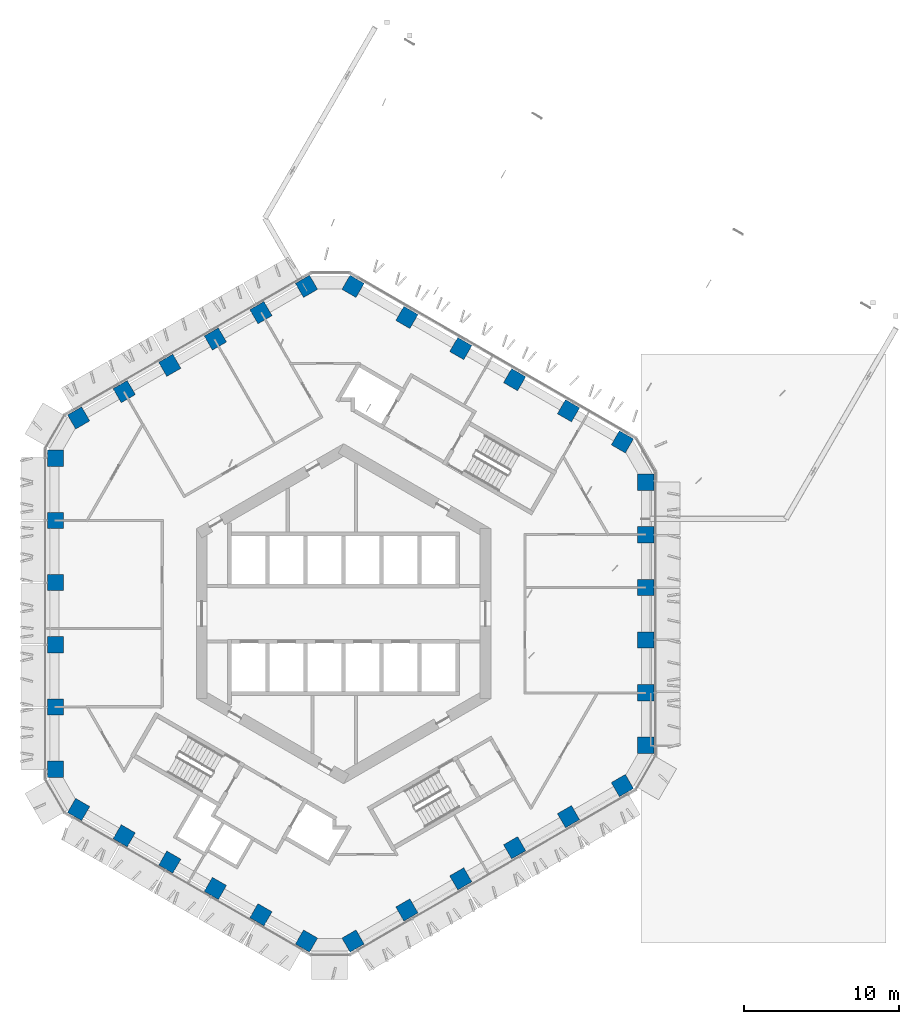
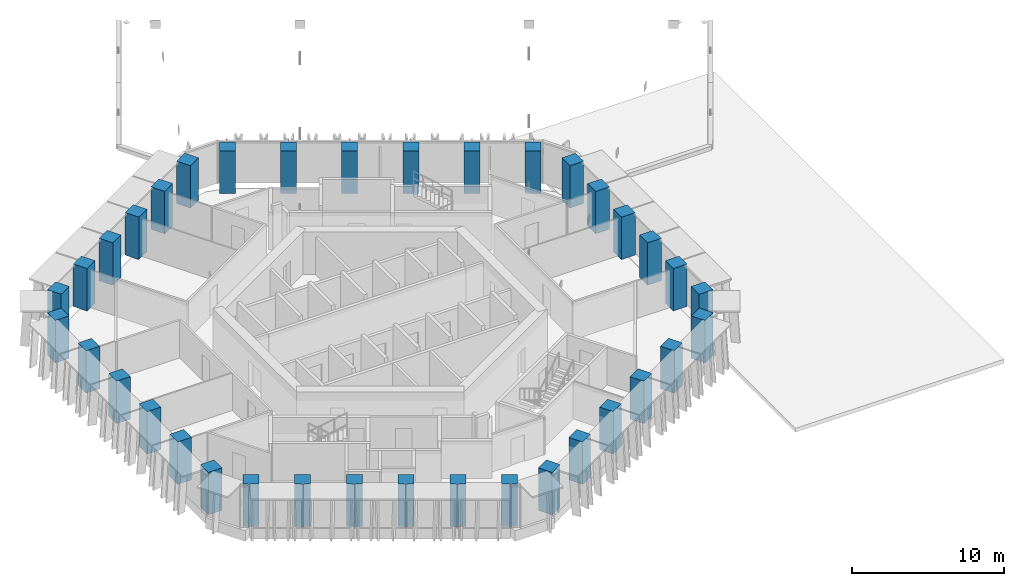
# One storey, part 1 of 25: 36 columns.
"""IFC4 building model written with IfcOpenShell, lengths in metres."""

from ifc_helpers import new_model, si_unit, direction, frame, origin, origin_2d, place, context, subcontext, project, spatial, rectangle, extrude, material, material_profile, profile_set, type_object, element, save


model = new_model("IFC4")

# Units and contexts
model_context = context("Model", 3, precision=1e-05, world=origin(), true_north=direction((0.0, 1.0)))
body_context = subcontext(model_context, "Body", "Model", "MODEL_VIEW")
ifc_project = project(units=[si_unit("LENGTHUNIT", "METRE"), si_unit("AREAUNIT", "SQUARE_METRE"), si_unit("VOLUMEUNIT", "CUBIC_METRE"), si_unit("PLANEANGLEUNIT", "RADIAN"), si_unit("MASSUNIT", "GRAM", prefix="KILO")], contexts=[model_context])

# Site, building, storey
site_placement = place(None, origin())
site = spatial("IfcSite", under=ifc_project, at=site_placement, CompositionType="ELEMENT")
building_placement = place(site_placement, origin())
building = spatial("IfcBuilding", under=site, at=building_placement, Name="Ayvan Gate Tower", CompositionType="ELEMENT")
storey_placement = place(building_placement, frame((0.0, 0.0, 132.5)))
storey = spatial("IfcBuildingStorey", under=building, at=storey_placement, Name="L35", CompositionType="ELEMENT", Elevation=132.5)

# Columns
ifc_material = material(Name="Concrete C60/75", Category="concrete")
ifc_material_profile = material_profile(ifc_material, rectangle(XDim=1.050048828125, YDim=1.050048828125, at=origin_2d()), Name="RC 1050x1050")
ifc_profile_set = profile_set([ifc_material_profile], Name="Concrete C60/75")
column_type = type_object("IfcColumnType", Name="Tube column RC 1050x1050 C60/75", PredefinedType="COLUMN", material=ifc_profile_set)
for number, where, z_axis, x_axis, name in (
    (1, (19.485595703125, -8.488037109375, 0.0), (0.0, 0.0, 1.0), (1.0, 0.0, 0.0), "C-T0-0-L35"),
    (2, (19.485595703125, -5.0927734375, 0.0), (0.0, 0.0, 1.0), (1.0, 0.0, 0.0), "C-T0-1-L35"),
    (3, (19.485595703125, -1.697509765625, 0.0), (0.0, 0.0, 1.0), (1.0, 0.0, 0.0), "C-T0-2-L35"),
    (4, (19.485595703125, 1.697509765625, 0.0), (0.0, 0.0, 1.0), (1.0, 0.0, 0.0), "C-T0-3-L35"),
    (5, (19.485595703125, 5.0927734375, 0.0), (0.0, 0.0, 1.0), (1.0, 0.0, 0.0), "C-T0-4-L35"),
    (6, (19.485595703125, 8.488037109375, 0.0), (0.0, 0.0, 1.0), (1.0, 0.0, 0.0), "C-T0-5-L35"),
    (7, (17.985595703125, 11.086181640625, 0.0), (0.0, 0.0, 1.0), (0.5, 0.866025403784, 0.0), "C-T1-0-L35"),
    (8, (14.510009765625, 13.0927734375, 0.0), (0.0, 0.0, 1.0), (0.5, 0.866025403784, 0.0), "C-T1-1-L35"),
    (9, (11.03466796875, 15.099365234375, 0.0), (0.0, 0.0, 1.0), (0.5, 0.866025403784, 0.0), "C-T1-2-L35"),
    (10, (7.55908203125, 17.10595703125, 0.0), (0.0, 0.0, 1.0), (0.5, 0.866025403784, 0.0), "C-T1-3-L35"),
    (11, (4.08349609375, 19.1123046875, 0.0), (0.0, 0.0, 1.0), (0.5, 0.866025403784, 0.0), "C-T1-4-L35"),
    (12, (0.608154296875, 21.118896484375, 0.0), (0.0, 0.0, 1.0), (0.5, 0.866025403784, 0.0), "C-T1-5-L35"),
    (13, (-2.391845703125, 21.118896484375, 0.0), (0.0, 0.0, 1.0), (-0.5, 0.866025403784, 0.0), "C-T2-0-L35"),
    (14, (-5.332275390625, 19.42138671875, 0.0), (0.0, 0.0, 1.0), (-0.5, 0.866025403784, 0.0), "C-T2-1-L35"),
    (15, (-8.272705078125, 17.723876953125, 0.0), (0.0, 0.0, 1.0), (-0.5, 0.866025403784, 0.0), "C-T2-2-L35"),
    (16, (-11.212890625, 16.026123046875, 0.0), (0.0, 0.0, 1.0), (-0.5, 0.866025403784, 0.0), "C-T2-3-L35"),
    (17, (-14.1533203125, 14.32861328125, 0.0), (0.0, 0.0, 1.0), (-0.5, 0.866025403784, 0.0), "C-T2-4-L35"),
    (18, (-17.093505859375, 12.631103515625, 0.0), (0.0, 0.0, 1.0), (-0.5, 0.866025403784, 0.0), "C-T2-5-L35"),
    (19, (-18.593505859375, 10.032958984375, 0.0), (0.0, 0.0, 1.0), (-1.0, 0.0, 0.0), "C-T3-0-L35"),
    (20, (-18.593505859375, 6.019775390625, 0.0), (0.0, 0.0, 1.0), (-1.0, 0.0, 0.0), "C-T3-1-L35"),
    (21, (-18.593505859375, 2.006591796875, 0.0), (0.0, 0.0, 1.0), (-1.0, 0.0, 0.0), "C-T3-2-L35"),
    (22, (-18.593505859375, -2.006591796875, 0.0), (0.0, 0.0, 1.0), (-1.0, 0.0, 0.0), "C-T3-3-L35"),
    (23, (-18.593505859375, -6.019775390625, 0.0), (0.0, 0.0, 1.0), (-1.0, 0.0, 0.0), "C-T3-4-L35"),
    (24, (-18.593505859375, -10.032958984375, 0.0), (0.0, 0.0, 1.0), (-1.0, 0.0, 0.0), "C-T3-5-L35"),
    (25, (-17.093505859375, -12.631103515625, 0.0), (0.0, 0.0, 1.0), (-0.5, -0.866025403784, 0.0), "C-T4-0-L35"),
    (26, (-14.1533203125, -14.32861328125, 0.0), (0.0, 0.0, 1.0), (-0.5, -0.866025403784, 0.0), "C-T4-1-L35"),
    (27, (-11.212890625, -16.026123046875, 0.0), (0.0, 0.0, 1.0), (-0.5, -0.866025403784, 0.0), "C-T4-2-L35"),
    (28, (-8.272705078125, -17.723876953125, 0.0), (0.0, 0.0, 1.0), (-0.5, -0.866025403784, 0.0), "C-T4-3-L35"),
    (29, (-5.332275390625, -19.42138671875, 0.0), (0.0, 0.0, 1.0), (-0.5, -0.866025403784, 0.0), "C-T4-4-L35"),
    (30, (-2.391845703125, -21.118896484375, 0.0), (0.0, 0.0, 1.0), (-0.5, -0.866025403784, 0.0), "C-T4-5-L35"),
    (31, (0.608154296875, -21.118896484375, 0.0), (0.0, 0.0, 1.0), (0.5, -0.866025403784, 0.0), "C-T5-0-L35"),
    (32, (4.08349609375, -19.1123046875, 0.0), (0.0, 0.0, 1.0), (0.5, -0.866025403784, 0.0), "C-T5-1-L35"),
    (33, (7.55908203125, -17.10595703125, 0.0), (0.0, 0.0, 1.0), (0.5, -0.866025403784, 0.0), "C-T5-2-L35"),
    (34, (11.03466796875, -15.099365234375, 0.0), (0.0, 0.0, 1.0), (0.5, -0.866025403784, 0.0), "C-T5-3-L35"),
    (35, (14.510009765625, -13.0927734375, 0.0), (0.0, 0.0, 1.0), (0.5, -0.866025403784, 0.0), "C-T5-4-L35"),
    (36, (17.985595703125, -11.086181640625, 0.0), (0.0, 0.0, 1.0), (0.5, -0.866025403784, 0.0), "C-T5-5-L35"),
):
    element("IfcColumn", number, at=place(storey_placement, frame(where, z_axis=z_axis, x_axis=x_axis)), inside=storey, type_object=column_type, Name=name, PredefinedType="COLUMN", context=body_context, shape_type="SweptSolid", body=[
        extrude(rectangle(XDim=1.050048828125, YDim=1.050048828125, at=origin_2d()), origin(), (0.0, 0.0, 1.0), 3.39990234375),
    ])

save(model, "model.ifc")
